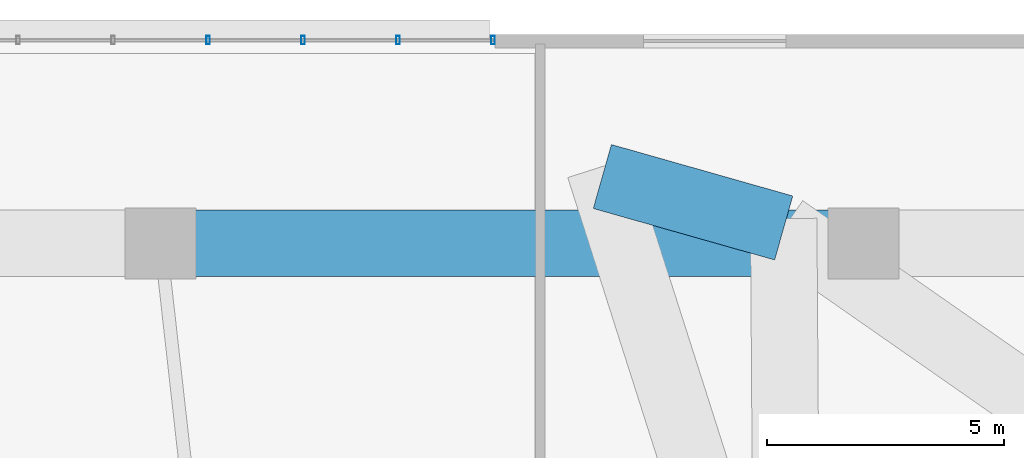
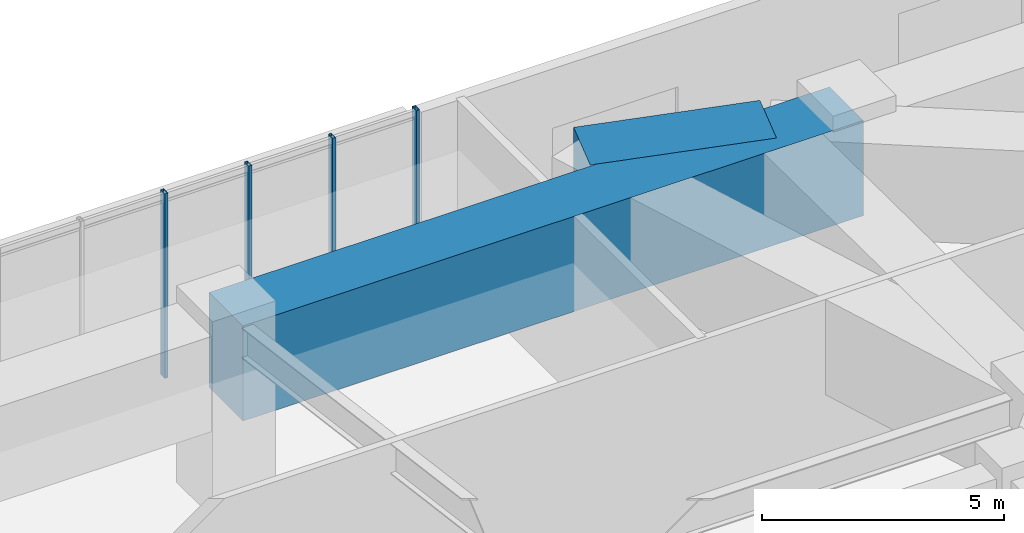
# One storey, part 10 of 26: 4 members, 2 beams, 1 element without a shape of its own.
"""IFC4 building model written with IfcOpenShell, lengths in metres."""

from ifc_helpers import new_model, si_unit, direction, frame, origin, origin_2d, place, context, subcontext, project, spatial, rectangle, hollow_rectangle, extrude, material, material_profile, profile_set, type_object, element, aggregate, save


model = new_model("IFC4")

# Units and contexts
model_context = context("Model", 3, precision=1e-05, world=origin(), true_north=direction((0.0, 1.0)))
body_context = subcontext(model_context, "Body", "Model", "MODEL_VIEW")
ifc_project = project(units=[si_unit("LENGTHUNIT", "METRE"), si_unit("AREAUNIT", "SQUARE_METRE"), si_unit("VOLUMEUNIT", "CUBIC_METRE"), si_unit("PLANEANGLEUNIT", "RADIAN"), si_unit("MASSUNIT", "GRAM", prefix="KILO")], contexts=[model_context])

# Site, building, storey
site_placement = place(None, origin())
site = spatial("IfcSite", under=ifc_project, at=site_placement, CompositionType="ELEMENT")
building_placement = place(site_placement, origin())
building = spatial("IfcBuilding", under=site, at=building_placement, Name="Zulverin Broadcast Headquarters", CompositionType="ELEMENT")
storey_placement = place(building_placement, frame((0.0, 0.0, 20.0)))
storey = spatial("IfcBuildingStorey", under=building, at=storey_placement, Name="L04", CompositionType="ELEMENT", Elevation=20.0)

# Beams
ifc_material_1 = material(Name="Concrete C60/75", Category="concrete")
ifc_material_profile_1 = material_profile(ifc_material_1, rectangle(XDim=1.39990234375, YDim=2.39990234375, at=origin_2d()), Name="Concrete C60/75", Category="concrete")
ifc_profile_set_1 = profile_set([ifc_material_profile_1], Name="Concrete C60/75")
beam_type = type_object("IfcBeamType", Name="BM-TG-1400x2400", PredefinedType="USERDEFINED", material=ifc_profile_set_1)
beam_1_placement = place(storey_placement, frame((51.800048828125, 46.0, 3.39990234375), z_axis=(-1.0, 0.0, 0.0), x_axis=(0.0, -1.0, 0.0)))
element("IfcBeam", 1, at=beam_1_placement, inside=storey, type_object=beam_type, Name="L04 Podium Transfer Ring Girder P09-P08", ObjectType="TRANSFER GIRDER", PredefinedType="USERDEFINED", context=body_context, shape_type="SweptSolid", body=[
    extrude(rectangle(XDim=1.39990234375, YDim=2.39990234375, at=origin_2d()), origin(), (0.0, 0.0, 1.0), 14.800048828125),
])
beam_2_placement = place(storey_placement, frame((50.121826171875, 46.325927734375, 3.39990234375), z_axis=(-0.962058150721, 0.272844487999, 0.0), x_axis=(-0.272844487999, -0.962058150721, 0.0)))
element("IfcBeam", 2, at=beam_2_placement, inside=storey, type_object=beam_type, Name="L05 Tower Base Transfer Ring Girder TGR-08", ObjectType="TRANSFER GIRDER", PredefinedType="USERDEFINED", context=body_context, shape_type="SweptSolid", body=[
    extrude(rectangle(XDim=1.39990234375, YDim=2.39990234375, at=origin_2d()), origin(), (0.0, 0.0, 1.0), 3.97021484375),
])

# Curtain wall, members
ifc_material_2 = material(Name="Pale-metal unitised podium curtain wall", Category="aluminium")
curtain_wall_type = type_object("IfcCurtainWallType", Name="CW-POD", PredefinedType="USERDEFINED", material=ifc_material_2)
curtain_wall_placement = place(storey_placement, origin())
curtain_wall = element("IfcCurtainWall", 3, at=curtain_wall_placement, inside=storey, type_object=curtain_wall_type, Name="L04 Unitised Curtain Wall CW-L04-N2", ObjectType="UNITISED CURTAIN WALL", PredefinedType="USERDEFINED")
ifc_material_3 = material(Name="Anodized pale-metal aluminium alloy 6063-T6", Category="aluminium")
ifc_material_profile_2 = material_profile(ifc_material_3, hollow_rectangle(XDim=0.074951171875, YDim=0.179931640625, WallThickness=0.0048828125, at=origin_2d()), Name="Anodized pale-metal aluminium alloy 6063-T6", Category="aluminium")
ifc_profile_set_2 = profile_set([ifc_material_profile_2], Name="Anodized pale-metal aluminium alloy 6063-T6")
member_type = type_object("IfcMemberType", Name="CW-MUL-180", PredefinedType="MULLION", material=ifc_profile_set_2)
member_1_placement = place(storey_placement, frame((44.0, 50.280029296875, -0.030029296875), z_axis=(0.0, 0.0, 1.0), x_axis=(-1.0, 0.0, 0.0)))
member_1 = element("IfcMember", 4, at=member_1_placement, type_object=member_type, Name="CW-L04-N2 Mullion 00", PredefinedType="MULLION", context=body_context, shape_type="SweptSolid", body=[
    extrude(hollow_rectangle(XDim=0.074951171875, YDim=0.179931640625, WallThickness=0.0048828125, at=origin_2d()), origin(), (0.0, 0.0, 1.0), 4.659912109375),
])
member_2_placement = place(storey_placement, frame((42.0, 50.280029296875, -0.030029296875), z_axis=(0.0, 0.0, 1.0), x_axis=(-1.0, 0.0, 0.0)))
member_2 = element("IfcMember", 5, at=member_2_placement, type_object=member_type, Name="CW-L04-N2 Mullion 01", PredefinedType="MULLION", context=body_context, shape_type="SweptSolid", body=[
    extrude(hollow_rectangle(XDim=0.074951171875, YDim=0.179931640625, WallThickness=0.0048828125, at=origin_2d()), origin(), (0.0, 0.0, 1.0), 4.659912109375),
])
member_3_placement = place(storey_placement, frame((40.0, 50.280029296875, -0.030029296875), z_axis=(0.0, 0.0, 1.0), x_axis=(-1.0, 0.0, 0.0)))
member_3 = element("IfcMember", 6, at=member_3_placement, type_object=member_type, Name="CW-L04-N2 Mullion 02", PredefinedType="MULLION", context=body_context, shape_type="SweptSolid", body=[
    extrude(hollow_rectangle(XDim=0.074951171875, YDim=0.179931640625, WallThickness=0.0048828125, at=origin_2d()), origin(), (0.0, 0.0, 1.0), 4.659912109375),
])
member_4_placement = place(storey_placement, frame((38.0, 50.280029296875, -0.030029296875), z_axis=(0.0, 0.0, 1.0), x_axis=(-1.0, 0.0, 0.0)))
member_4 = element("IfcMember", 7, at=member_4_placement, type_object=member_type, Name="CW-L04-N2 Mullion 03", PredefinedType="MULLION", context=body_context, shape_type="SweptSolid", body=[
    extrude(hollow_rectangle(XDim=0.074951171875, YDim=0.179931640625, WallThickness=0.0048828125, at=origin_2d()), origin(), (0.0, 0.0, 1.0), 4.659912109375),
])
aggregate(curtain_wall, [member_1, member_2, member_3, member_4])

save(model, "model.ifc")
